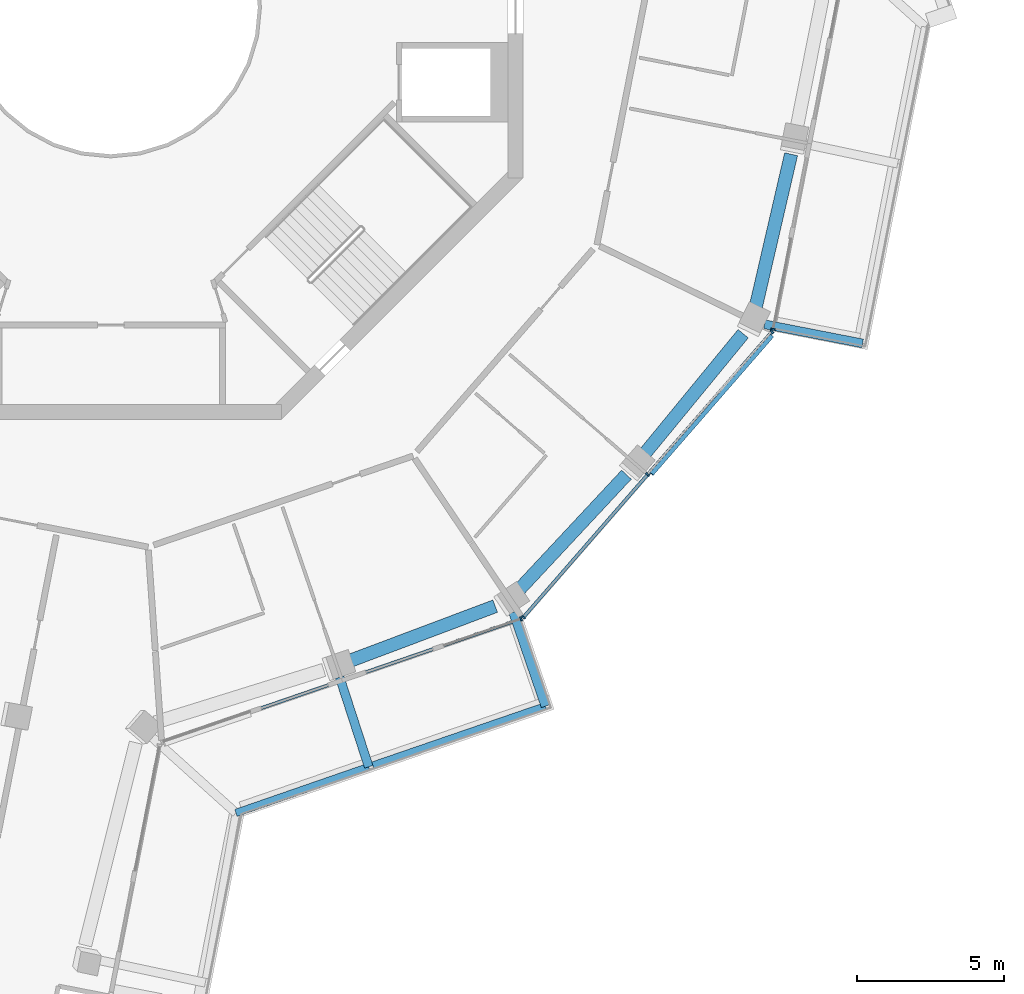
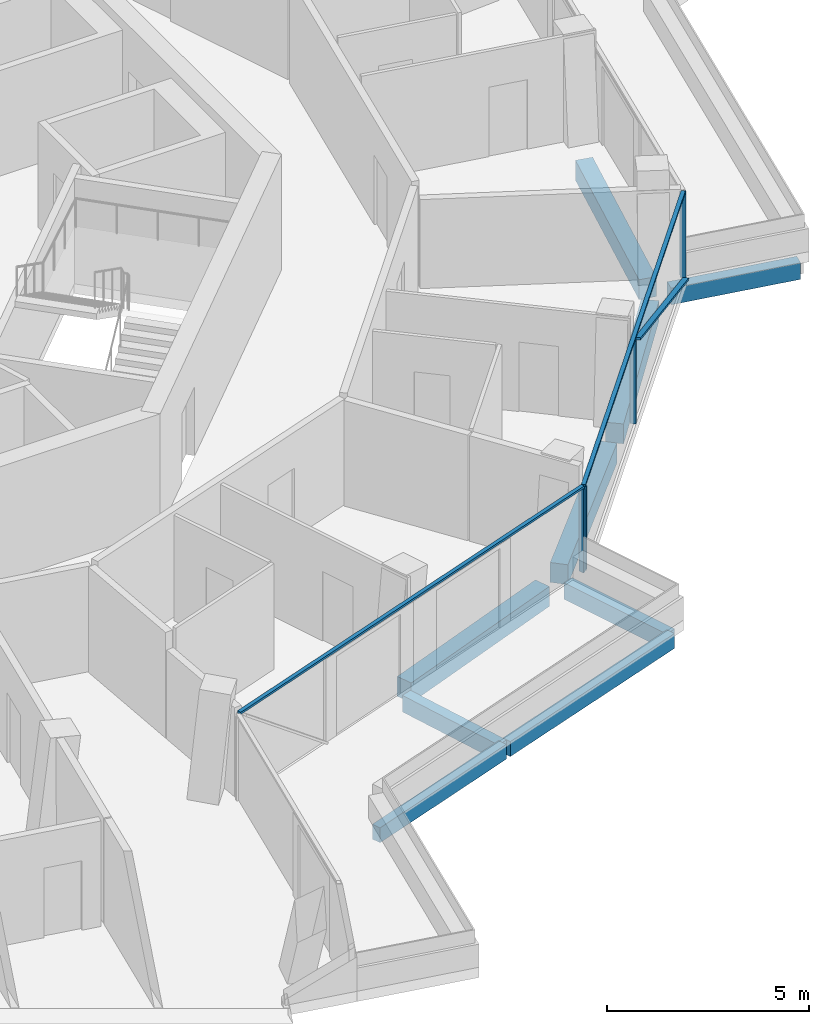
# One storey, part 4 of 22: 9 beams, 8 members, 3 elements without a shape of their own.
"""IFC4 building model written with IfcOpenShell, lengths in metres."""

from ifc_helpers import new_model, si_unit, direction, frame, origin, origin_2d, place, context, subcontext, project, spatial, rectangle, extrude, material, layer, layer_set, material_profile, profile_set, type_object, element, aggregate, save


model = new_model("IFC4")

# Units and contexts
model_context = context("Model", 3, precision=1e-05, world=origin(), true_north=direction((0.0, 1.0)))
body_context = subcontext(model_context, "Body", "Model", "MODEL_VIEW")
ifc_project = project(units=[si_unit("LENGTHUNIT", "METRE"), si_unit("AREAUNIT", "SQUARE_METRE"), si_unit("VOLUMEUNIT", "CUBIC_METRE"), si_unit("PLANEANGLEUNIT", "RADIAN"), si_unit("MASSUNIT", "GRAM", prefix="KILO")], contexts=[model_context])

# Site, building, storey
site_placement = place(None, origin())
site = spatial("IfcSite", under=ifc_project, at=site_placement, CompositionType="ELEMENT")
building_placement = place(site_placement, origin())
building = spatial("IfcBuilding", under=site, at=building_placement, Name="Verdalira Terraces Hotel", CompositionType="ELEMENT")
storey_placement = place(building_placement, frame((0.0, 0.0, 234.0)))
storey = spatial("IfcBuildingStorey", under=building, at=storey_placement, Name="L57", CompositionType="ELEMENT", Elevation=234.0)

# Beams
ifc_material_1 = material(Name="Concrete C40", Category="concrete")
ifc_material_profile_1 = material_profile(ifc_material_1, rectangle(XDim=0.300049, YDim=0.5, at=origin_2d()), Name="RC 300X500")
ifc_profile_set_1 = profile_set([ifc_material_profile_1], Name="Concrete C40")
beam_type_1 = type_object("IfcBeamType", Name="Balcony cantilever beam RC 300X500 C40", PredefinedType="BEAM", material=ifc_profile_set_1)
beam_1_placement = place(storey_placement, frame((7.7771, -22.766357, -0.560059), z_axis=(0.308987763, -0.951066014, 0.0), x_axis=(0.951066014, 0.308987763, 0.0)))
element("IfcBeam", 1, at=beam_1_placement, inside=storey, type_object=beam_type_1, Name="Balcony cantilever beam R24-3", PredefinedType="BEAM", context=body_context, shape_type="SweptSolid", body=[
    extrude(rectangle(XDim=0.300049, YDim=0.5, at=origin_2d()), origin(), (0.0, 0.0, 1.0), 3.200928),
])
beam_2_placement = place(storey_placement, frame((13.67041, -20.553223, -0.560059), z_axis=(0.324885887, -0.945753224, 0.0), x_axis=(0.945753224, 0.324885887, 0.0)))
element("IfcBeam", 2, at=beam_2_placement, inside=storey, type_object=beam_type_1, Name="Balcony cantilever beam R24-4", PredefinedType="BEAM", context=body_context, shape_type="SweptSolid", body=[
    extrude(rectangle(XDim=0.300049, YDim=0.5, at=origin_2d()), origin(), (0.0, 0.0, 1.0), 3.378662),
])
beam_3_placement = place(storey_placement, frame((22.212891, -10.773438, -0.560059), z_axis=(0.981504772, -0.191437675, 0.0), x_axis=(0.191437675, 0.981504772, 0.0)))
element("IfcBeam", 3, at=beam_3_placement, inside=storey, type_object=beam_type_1, Name="Balcony cantilever beam R27-1", PredefinedType="BEAM", context=body_context, shape_type="SweptSolid", body=[
    extrude(rectangle(XDim=0.300049, YDim=0.5, at=origin_2d()), origin(), (0.0, 0.0, 1.0), 3.393555),
])
ifc_material_2 = material(Name="Concrete C40", Category="concrete")
ifc_material_profile_2 = material_profile(ifc_material_2, rectangle(XDim=0.25, YDim=0.449951, at=origin_2d()), Name="RC 250X450")
ifc_profile_set_2 = profile_set([ifc_material_profile_2], Name="Concrete C40")
beam_type_2 = type_object("IfcBeamType", Name="Balcony edge beam RC 250X450 C40", PredefinedType="BEAM", material=ifc_profile_set_2)
beam_4_placement = place(storey_placement, frame((4.251465, -27.374756, -0.534912), z_axis=(0.94489248, 0.32738082, 0.0), x_axis=(-0.32738082, 0.94489248, 0.0)))
element("IfcBeam", 4, at=beam_4_placement, inside=storey, type_object=beam_type_2, Name="Balcony edge beam R24-2", PredefinedType="BEAM", context=body_context, shape_type="SweptSolid", body=[
    extrude(rectangle(XDim=0.25, YDim=0.449951, at=origin_2d()), origin(), (0.0, 0.0, 1.0), 4.777832),
])
beam_5_placement = place(storey_placement, frame((8.908203, -25.761719, -0.534912), z_axis=(0.945743366, 0.324914582, 0.0), x_axis=(-0.324914582, 0.945743366, 0.0)))
element("IfcBeam", 5, at=beam_5_placement, inside=storey, type_object=beam_type_2, Name="Balcony edge beam R24-3", PredefinedType="BEAM", context=body_context, shape_type="SweptSolid", body=[
    extrude(rectangle(XDim=0.25, YDim=0.449951, at=origin_2d()), origin(), (0.0, 0.0, 1.0), 6.196045),
])

# Curtain wall, member
ifc_material_3 = material(Name="Clear glass", Category="glass")
ifc_layer = layer(ifc_material_3, 0.14990234375)
ifc_layer_set = layer_set([ifc_layer], Name="CW1 curtain wall")
curtain_wall_type = type_object("IfcCurtainWallType", Name="CW1 curtain wall", PredefinedType="NOTDEFINED", material=ifc_layer_set)
curtain_wall_1_placement = place(storey_placement, origin())
curtain_wall_1 = element("IfcCurtainWall", 6, at=curtain_wall_1_placement, inside=storey, type_object=curtain_wall_type, Name="CW1 curtain wall L57 edge 25", PredefinedType="NOTDEFINED")
ifc_material_4 = material(Name="Terracotta frame", Category="masonry")
ifc_material_profile_3 = material_profile(ifc_material_4, rectangle(XDim=0.060059, YDim=0.149902, at=origin_2d()), Name="MU 60x150")
ifc_profile_set_3 = profile_set([ifc_material_profile_3], Name="Terracotta frame")
member_type_1 = type_object("IfcMemberType", Name="CW1 mullion 60x150", PredefinedType="MULLION", material=ifc_profile_set_3)
member_1_placement = place(storey_placement, frame((13.938232, -20.782227, 0.0), z_axis=(0.0, 0.0, 1.0), x_axis=(0.945745635, 0.324907979, 0.0)))
member_1 = element("IfcMember", 7, at=member_1_placement, type_object=member_type_1, Name="CW1 mullion", PredefinedType="MULLION", context=body_context, shape_type="SweptSolid", body=[
    extrude(rectangle(XDim=0.060059, YDim=0.149902, at=origin_2d()), origin(), (0.0, 0.0, 1.0), 2.524902),
])

# Curtain wall, members
curtain_wall_2_placement = place(storey_placement, origin())
curtain_wall_2 = element("IfcCurtainWall", 8, at=curtain_wall_2_placement, inside=storey, type_object=curtain_wall_type, Name="CW1 curtain wall L57 edge 26", PredefinedType="NOTDEFINED")
member_2_placement = place(storey_placement, frame((14.018555, -20.728027, 0.0), z_axis=(0.0, 0.0, 1.0), x_axis=(0.656585756, 0.754251381, 0.0)))
member_2 = element("IfcMember", 9, at=member_2_placement, type_object=member_type_1, Name="CW1 mullion", PredefinedType="MULLION", context=body_context, shape_type="SweptSolid", body=[
    extrude(rectangle(XDim=0.060059, YDim=0.149902, at=origin_2d()), origin(), (0.0, 0.0, 1.0), 2.524902),
])
member_3_placement = place(storey_placement, frame((18.240234, -15.878418, 0.0), z_axis=(0.0, 0.0, 1.0), x_axis=(0.656585756, 0.754251381, 0.0)))
member_3 = element("IfcMember", 10, at=member_3_placement, type_object=member_type_1, Name="CW1 mullion", PredefinedType="MULLION", context=body_context, shape_type="SweptSolid", body=[
    extrude(rectangle(XDim=0.060059, YDim=0.149902, at=origin_2d()), origin(), (0.0, 0.0, 1.0), 2.524902),
])
member_4_placement = place(storey_placement, frame((22.461914, -11.028809, 0.0), z_axis=(0.0, 0.0, 1.0), x_axis=(0.656585756, 0.754251381, 0.0)))
member_4 = element("IfcMember", 11, at=member_4_placement, type_object=member_type_1, Name="CW1 mullion", PredefinedType="MULLION", context=body_context, shape_type="SweptSolid", body=[
    extrude(rectangle(XDim=0.060059, YDim=0.149902, at=origin_2d()), origin(), (0.0, 0.0, 1.0), 2.524902),
])

# Curtain wall, member
curtain_wall_3_placement = place(storey_placement, origin())
curtain_wall_3 = element("IfcCurtainWall", 12, at=curtain_wall_3_placement, inside=storey, type_object=curtain_wall_type, Name="CW1 curtain wall L57 edge 27", PredefinedType="NOTDEFINED")
member_5_placement = place(storey_placement, frame((22.504395, -10.941895, 0.0), z_axis=(0.0, 0.0, 1.0), x_axis=(0.191494254, 0.981493734, 0.0)))
member_5 = element("IfcMember", 13, at=member_5_placement, type_object=member_type_1, Name="CW1 mullion", PredefinedType="MULLION", context=body_context, shape_type="SweptSolid", body=[
    extrude(rectangle(XDim=0.060059, YDim=0.149902, at=origin_2d()), origin(), (0.0, 0.0, 1.0), 2.524902),
])
aggregate(curtain_wall_3, [member_5])

# Member
ifc_material_5 = material(Name="Terracotta frame", Category="masonry")
ifc_material_profile_4 = material_profile(ifc_material_5, rectangle(XDim=0.110107, YDim=0.064941, at=origin_2d()), Name="TR 65x110")
ifc_profile_set_4 = profile_set([ifc_material_profile_4], Name="Terracotta frame")
member_type_2 = type_object("IfcMemberType", Name="CW1 transom 65x110", PredefinedType="USERDEFINED", material=ifc_profile_set_4)
member_6_placement = place(storey_placement, frame((1.709961, -24.983154, 2.557617), z_axis=(0.945748115, 0.32490076, 0.0), x_axis=(-0.32490076, 0.945748115, 0.0)))
member_6 = element("IfcMember", 14, at=member_6_placement, type_object=member_type_2, Name="CW1 transom", ObjectType="TRANSOM", PredefinedType="USERDEFINED", context=body_context, shape_type="SweptSolid", body=[
    extrude(rectangle(XDim=0.110107, YDim=0.064941, at=origin_2d()), origin(), (0.0, 0.0, 1.0), 12.959961),
])

aggregate(curtain_wall_1, [member_1, member_6])

member_7_placement = place(storey_placement, frame((13.998779, -20.750732, 2.557617), z_axis=(0.656589385, 0.754248222, 0.0), x_axis=(-0.754248222, 0.656589385, 0.0)))
member_7 = element("IfcMember", 15, at=member_7_placement, type_object=member_type_2, Name="CW1 transom", ObjectType="TRANSOM", PredefinedType="USERDEFINED", context=body_context, shape_type="SweptSolid", body=[
    extrude(rectangle(XDim=0.110107, YDim=0.064941, at=origin_2d()), origin(), (0.0, 0.0, 1.0), 12.919678),
])

ifc_material_6 = material(Name="Terracotta frame", Category="masonry")
ifc_material_profile_5 = material_profile(ifc_material_6, rectangle(XDim=0.149902, YDim=0.060059, at=origin_2d()), Name="GB 60x150")
ifc_profile_set_5 = profile_set([ifc_material_profile_5], Name="Terracotta frame")
member_type_3 = type_object("IfcMemberType", Name="Diagonal glazing bar 60x150", PredefinedType="USERDEFINED", material=ifc_profile_set_5)
member_8_placement = place(storey_placement, frame((18.374512, -15.859863, 2.496338), z_axis=(0.610388826, 0.701165161, -0.368500881), x_axis=(-0.754243218, 0.656595133, 0.0)))
member_8 = element("IfcMember", 16, at=member_8_placement, type_object=member_type_3, Name="Diagonal glazing bar", ObjectType="GLAZING BAR", PredefinedType="USERDEFINED", context=body_context, shape_type="SweptSolid", body=[
    extrude(rectangle(XDim=0.149902, YDim=0.060059, at=origin_2d()), origin(), (0.0, 0.0, 1.0), 6.696777),
])

aggregate(curtain_wall_2, [member_2, member_3, member_4, member_7, member_8])

# Beams
ifc_material_7 = material(Name="Concrete C40", Category="concrete")
ifc_material_profile_6 = material_profile(ifc_material_7, rectangle(XDim=0.449951, YDim=0.600098, at=origin_2d()), Name="RC 450X600")
ifc_profile_set_6 = profile_set([ifc_material_profile_6], Name="Concrete C40")
beam_type_3 = type_object("IfcBeamType", Name="Spandrel beam RC 450X600 C40", PredefinedType="SPANDREL", material=ifc_profile_set_6)
beam_6_placement = place(storey_placement, frame((8.012207, -22.249512, -0.610107), z_axis=(0.935962271, 0.352100308, 0.0), x_axis=(-0.352100308, 0.935962271, 0.0)))
element("IfcBeam", 17, at=beam_6_placement, inside=storey, type_object=beam_type_3, Name="Spandrel beam B12", PredefinedType="SPANDREL", context=body_context, shape_type="SweptSolid", body=[
    extrude(rectangle(XDim=0.449951, YDim=0.600098, at=origin_2d()), origin(), (0.0, 0.0, 1.0), 5.394531),
])
beam_7_placement = place(storey_placement, frame((13.837891, -19.828125, -0.610107), z_axis=(0.682397223, 0.730981553, 0.0), x_axis=(-0.730981553, 0.682397223, 0.0)))
element("IfcBeam", 18, at=beam_7_placement, inside=storey, type_object=beam_type_3, Name="Spandrel beam B13", PredefinedType="SPANDREL", context=body_context, shape_type="SweptSolid", body=[
    extrude(rectangle(XDim=0.449951, YDim=0.600098, at=origin_2d()), origin(), (0.0, 0.0, 1.0), 5.396973),
])
beam_8_placement = place(storey_placement, frame((18.063721, -15.262451, -0.610107), z_axis=(0.634535752, 0.772893511, 0.0), x_axis=(-0.772893511, 0.634535752, 0.0)))
element("IfcBeam", 19, at=beam_8_placement, inside=storey, type_object=beam_type_3, Name="Spandrel beam B14", PredefinedType="SPANDREL", context=body_context, shape_type="SweptSolid", body=[
    extrude(rectangle(XDim=0.449951, YDim=0.600098, at=origin_2d()), origin(), (0.0, 0.0, 1.0), 5.394287),
])
beam_9_placement = place(storey_placement, frame((21.898193, -10.252686, -0.610107), z_axis=(0.225467384, 0.974250717, 0.0), x_axis=(-0.974250717, 0.225467384, 0.0)))
element("IfcBeam", 20, at=beam_9_placement, inside=storey, type_object=beam_type_3, Name="Spandrel beam B15", PredefinedType="SPANDREL", context=body_context, shape_type="SweptSolid", body=[
    extrude(rectangle(XDim=0.449951, YDim=0.600098, at=origin_2d()), origin(), (0.0, 0.0, 1.0), 5.396729),
])

save(model, "model.ifc")
